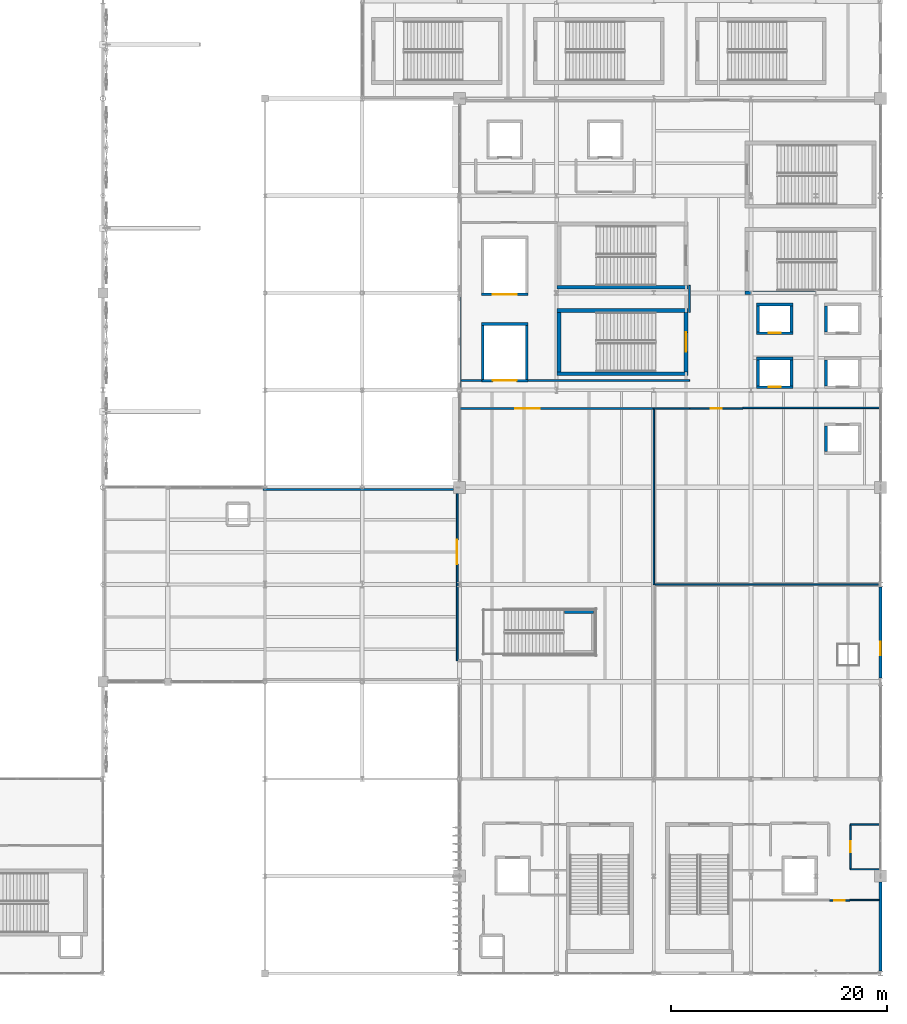
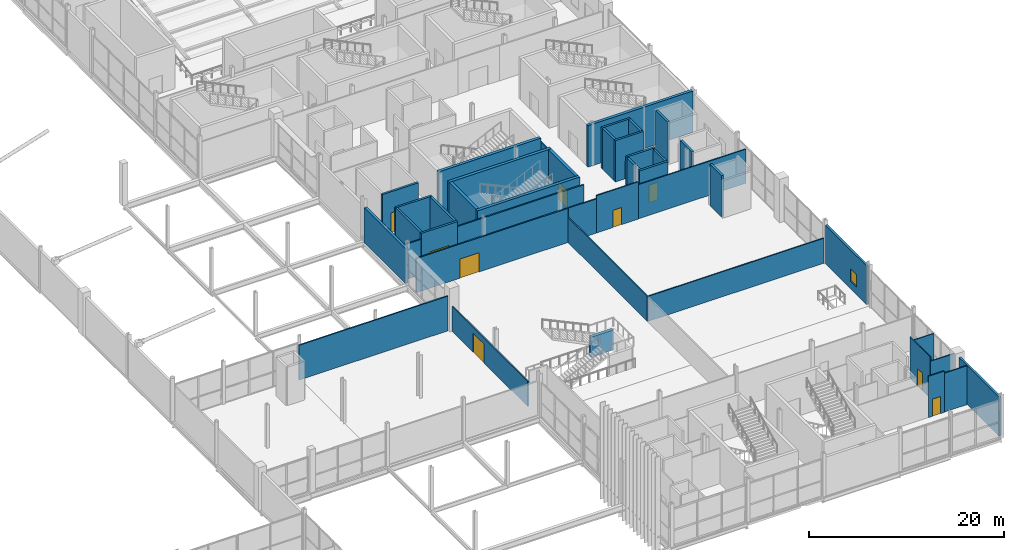
# One storey, part 93 of 119: 42 walls, 10 doors, 1 window, 11 openings.
"""IFC4 building model written with IfcOpenShell, lengths in metres."""

from ifc_helpers import new_model, si_unit, direction, frame, frame_2d, origin, place, context, subcontext, project, spatial, rectangle, extrude, material, layer, layer_set, type_object, element, fill, save


model = new_model("IFC4")

# Units and contexts
model_context = context("Model", 3, precision=1e-05, world=origin(), true_north=direction((0.0, 1.0)))
body_context = subcontext(model_context, "Body", "Model", "MODEL_VIEW")
ifc_project = project(units=[si_unit("LENGTHUNIT", "METRE"), si_unit("AREAUNIT", "SQUARE_METRE"), si_unit("VOLUMEUNIT", "CUBIC_METRE"), si_unit("PLANEANGLEUNIT", "RADIAN"), si_unit("MASSUNIT", "GRAM", prefix="KILO")], contexts=[model_context])

# Site, building, storey
site_placement = place(None, origin())
site = spatial("IfcSite", under=ifc_project, at=site_placement, CompositionType="ELEMENT")
building_placement = place(site_placement, origin())
building = spatial("IfcBuilding", under=site, at=building_placement, Name="Qamarlyn Nura Convention Centre", CompositionType="ELEMENT")
storey_placement = place(building_placement, frame((0.0, 0.0, 5.39990234375)))
storey = spatial("IfcBuildingStorey", under=building, at=storey_placement, Name="L01", CompositionType="ELEMENT", Elevation=5.39990234375)

# Walls
ifc_material_1 = material(Name="Concrete C50/60", Category="concrete")
ifc_layer_1 = layer(ifc_material_1, 0.35009765625, Name="WT-CORE-350")
ifc_layer_set_1 = layer_set([ifc_layer_1], Name="Concrete C50/60")
wall_type_1 = type_object("IfcWallType", Name="WT-CORE-350", PredefinedType="SHEAR", material=ifc_layer_set_1)
for number, where, z_axis, x_axis, name in (
    (1, (162.050048828125, 55.52490234375, 0.0), (0.0, 0.0, 1.0), (1.0, 0.0, 0.0), "L01 stair core shear wall ST-11-S"),
    (2, (174.14990234375, 61.375, 0.0), (0.0, 0.0, 1.0), (-1.0, 0.0, 0.0), "L01 stair core shear wall ST-11-N"),
):
    element("IfcWall", number, at=place(storey_placement, frame(where, z_axis=z_axis, x_axis=x_axis)), inside=storey, type_object=wall_type_1, Name=name, PredefinedType="SHEAR", context=body_context, shape_type="SweptSolid", body=[
        extrude(rectangle(XDim=12.099853515625, YDim=0.35009765625, at=frame_2d((6.0498046875, 0.0))), origin(), (0.0, 0.0, 1.0), 5.18017578125),
    ])
wall_1_placement = place(storey_placement, frame((162.22509765625, 61.199951171875, 0.0), z_axis=(0.0, 0.0, 1.0), x_axis=(0.0, -1.0, 0.0)))
element("IfcWall", 3, at=wall_1_placement, inside=storey, type_object=wall_type_1, Name="L01 stair core shear wall ST-11-W", PredefinedType="SHEAR", context=body_context, shape_type="SweptSolid", body=[
    extrude(rectangle(XDim=5.5, YDim=0.35009765625, at=frame_2d((2.75, 0.0))), origin(), (0.0, 0.0, 1.0), 5.18017578125),
])

# Wall, opening, door
wall_2_placement = place(storey_placement, frame((173.97509765625, 55.699951171875, 0.0), z_axis=(0.0, 0.0, 1.0), x_axis=(0.0, 1.0, 0.0)))
wall_2 = element("IfcWall", 4, at=wall_2_placement, inside=storey, type_object=wall_type_1, Name="L01 stair core shear wall ST-11-E", PredefinedType="SHEAR", context=body_context, shape_type="SweptSolid", body=[
    extrude(rectangle(XDim=5.5, YDim=0.35009765625, at=frame_2d((2.75, 0.0))), origin(), (0.0, 0.0, 1.0), 5.18017578125),
])
opening_1_placement = place(wall_2_placement, frame((1.85009765625, 0.0, 0.0)))
opening_1 = element("IfcOpeningElement", 5, at=opening_1_placement, cuts=wall_2, Name="Opening DS-045", PredefinedType="OPENING", context=body_context, shape_type="SweptSolid", body=[
    extrude(rectangle(XDim=1.800048828125, YDim=2.199951171875, at=frame_2d((0.89990234375, 1.10009765625))), frame((0.0, 0.18505859375, 0.0), z_axis=(0.0, -1.0, 0.0), x_axis=(1.0, 0.0, 0.0)), (0.0, 0.0, 1.0), 0.3701171875),
])
ifc_material_2 = material(Name="Galvanised fire-rated hollow steel door", Category="steel")
door_type_1 = type_object("IfcDoorType", Name="DR-STAIR-1800", OperationType="DOUBLE_DOOR_SINGLE_SWING", PredefinedType="DOOR", material=ifc_material_2)
door_1_placement = place(opening_1_placement, origin())
door_1 = element("IfcDoor", 6, at=door_1_placement, inside=storey, type_object=door_type_1, Name="L01 exit stair door ST-11 (DS-045)", OperationType="DOUBLE_DOOR_SINGLE_SWING", OverallHeight=2.199951171875, OverallWidth=1.800048828125, PredefinedType="DOOR", context=body_context, shape_type="SweptSolid", body=[
    extrude(rectangle(XDim=1.800048828125, YDim=2.199951171875, at=frame_2d((0.89990234375, 1.10009765625))), frame((0.0, 0.02490234375, 0.0), z_axis=(0.0, -1.0, 0.0), x_axis=(1.0, 0.0, 0.0)), (0.0, 0.0, 1.0), 0.050048828125),
])
fill(opening_1, door_1)

# Walls
wall_3_placement = place(storey_placement, frame((162.050048828125, 63.52490234375, 0.0), z_axis=(0.0, 0.0, 1.0), x_axis=(1.0, 0.0, 0.0)))
element("IfcWall", 7, at=wall_3_placement, inside=storey, type_object=wall_type_1, Name="L01 stair core shear wall ST-12-S", PredefinedType="SHEAR", context=body_context, shape_type="SweptSolid", body=[
    extrude(rectangle(XDim=12.099853515625, YDim=0.35009765625, at=frame_2d((6.0498046875, 0.0))), origin(), (0.0, 0.0, 1.0), 5.18017578125),
])
wall_4_placement = place(storey_placement, frame((179.449951171875, 63.02490234375, 0.0), z_axis=(0.0, 0.0, 1.0), x_axis=(1.0, 0.0, 0.0)))
element("IfcWall", 8, at=wall_4_placement, inside=storey, type_object=wall_type_1, Name="L01 stair core shear wall ST-13-S", PredefinedType="SHEAR", context=body_context, shape_type="SweptSolid", body=[
    extrude(rectangle(XDim=12.37255859375, YDim=0.35009765625, at=frame_2d((6.186279296875, 0.0))), origin(), (0.0, 0.0, 1.0), 5.18017578125),
])
wall_5_placement = place(storey_placement, frame((162.719970703125, 33.47998046875, 0.0), z_axis=(0.0, 0.0, 1.0), x_axis=(1.0, 0.0, 0.0)))
element("IfcWall", 9, at=wall_5_placement, inside=storey, type_object=wall_type_1, Name="L01 feature stair support fin wall ST-20-2", PredefinedType="SHEAR", context=body_context, shape_type="SweptSolid", body=[
    extrude(rectangle(XDim=2.699951171875, YDim=0.35009765625, at=frame_2d((1.35009765625, 0.0))), origin(), (0.0, 0.0, 1.0), 2.5),
])
ifc_material_3 = material(Name="Concrete C40/50", Category="concrete")
ifc_layer_2 = layer(ifc_material_3, 0.260009765625, Name="WT-EXT-260")
ifc_layer_set_2 = layer_set([ifc_layer_2], Name="Concrete C40/50")
wall_type_2 = type_object("IfcWallType", Name="WT-EXT-260", PredefinedType="SOLIDWALL", material=ifc_layer_set_2)
wall_6_placement = place(storey_placement, frame((192.0, 8.449951171875, 0.0), z_axis=(0.0, 0.0, 1.0), x_axis=(0.0, -1.0, 0.0)))
element("IfcWall", 10, at=wall_6_placement, inside=storey, type_object=wall_type_2, Name="L01 exterior facade wall WEXT-L01-1920-84-1920-2", PredefinedType="SOLIDWALL", context=body_context, shape_type="SweptSolid", body=[
    extrude(rectangle(XDim=8.237548828125, YDim=0.260009765625, at=frame_2d((4.11865234375, 0.0))), origin(), (0.0, 0.0, 1.0), 4.864990234375),
])

# Wall, opening, window
wall_7_placement = place(storey_placement, frame((192.0, 35.78759765625, 0.0), z_axis=(0.0, 0.0, 1.0), x_axis=(0.0, -1.0, 0.0)))
wall_7 = element("IfcWall", 11, at=wall_7_placement, inside=storey, type_object=wall_type_2, Name="L01 exterior facade wall WEXT-L01-1920-358-1920-273", PredefinedType="SOLIDWALL", context=body_context, shape_type="SweptSolid", body=[
    extrude(rectangle(XDim=8.440185546875, YDim=0.260009765625, at=frame_2d((4.22021484375, 0.0))), origin(), (0.0, 0.0, 1.0), 4.8251953125),
])
opening_2_placement = place(wall_7_placement, frame((5.10498046875, 0.0, 0.949951171875)))
opening_2 = element("IfcOpeningElement", 12, at=opening_2_placement, cuts=wall_7, Name="Opening WN23", PredefinedType="OPENING", context=body_context, shape_type="SweptSolid", body=[
    extrude(rectangle(XDim=1.25, YDim=1.550048828125, at=frame_2d((0.625, 0.77490234375))), frame((0.0, 0.14013671875, 0.0), z_axis=(0.0, -1.0, 0.0), x_axis=(1.0, 0.0, 0.0)), (0.0, 0.0, 1.0), 0.280029296875),
])
ifc_material_4 = material(Name="Double-silver low-E insulated glass", Category="glass")
window_type = type_object("IfcWindowType", Name="WIN-SOL-23", PartitioningType="SINGLE_PANEL", PredefinedType="WINDOW", material=ifc_material_4)
window_placement = place(opening_2_placement, origin())
window = element("IfcWindow", 13, at=window_placement, inside=storey, type_object=window_type, Name="L01 solar-control window 023", OverallHeight=1.550048828125, OverallWidth=1.25, PartitioningType="SINGLE_PANEL", PredefinedType="WINDOW", context=body_context, shape_type="SweptSolid", body=[
    extrude(rectangle(XDim=1.25, YDim=1.550048828125, at=frame_2d((0.625, 0.77490234375))), frame((0.0, 0.030029296875, 0.0), z_axis=(0.0, -1.0, 0.0), x_axis=(1.0, 0.0, 0.0)), (0.0, 0.0, 1.0), 0.06005859375),
])
fill(opening_2, window)

# Walls
ifc_material_5 = material(Name="Concrete C40/50 with UAE coastal limestone stone facing", Category="masonry")
ifc_layer_3 = layer(ifc_material_5, 0.300048828125, Name="WT-LIME-300")
ifc_layer_set_3 = layer_set([ifc_layer_3], Name="Concrete C40/50 with UAE coastal limestone stone facing")
wall_type_3 = type_object("IfcWallType", Name="WT-LIME-300", PredefinedType="SOLIDWALL", material=ifc_layer_set_3)
wall_8_placement = place(storey_placement, frame((153.0, 54.199951171875, 0.0), z_axis=(0.0, 0.0, 1.0), x_axis=(0.0, 1.0, 0.0)))
element("IfcWall", 14, at=wall_8_placement, inside=storey, type_object=wall_type_3, Name="L01 exterior facade wall WEXT-L01-1530-542-1530-627", PredefinedType="SOLIDWALL", context=body_context, shape_type="SweptSolid", body=[
    extrude(rectangle(XDim=8.45263671875, YDim=0.300048828125, at=frame_2d((4.226318359375, 0.0))), origin(), (0.0, 0.0, 1.0), 4.39208984375),
])
ifc_material_6 = material(Name="Acoustic double-stud gypsum partition")
ifc_layer_4 = layer(ifc_material_6, 0.1201171875, Name="WT-PART-120")
ifc_layer_set_4 = layer_set([ifc_layer_4], Name="Acoustic double-stud gypsum partition")
wall_type_4 = type_object("IfcWallType", Name="WT-PART-120", PredefinedType="PARTITIONING", material=ifc_layer_set_4)
for number, where, z_axis, x_axis, name in (
    (15, (189.199951171875, 13.77490234375, 0.0), (0.0, 0.0, 1.0), (1.0, 0.0, 0.0), "L01 interior partition L01-WC-A-L01-1-1"),
    (16, (191.988037109375, 9.64990234375, 0.0), (0.0, 0.0, 1.0), (-1.0, 0.0, 0.0), "L01 interior partition L01-WC-A-L01-3-1"),
):
    element("IfcWall", number, at=place(storey_placement, frame(where, z_axis=z_axis, x_axis=x_axis)), inside=storey, type_object=wall_type_4, Name=name, PredefinedType="PARTITIONING", context=body_context, shape_type="SweptSolid", body=[
        extrude(rectangle(XDim=2.7880859375, YDim=0.1201171875, at=frame_2d((1.39404296875, 0.0))), origin(), (0.0, 0.0, 1.0), 4.6259765625),
    ])

# Wall, opening, door
wall_9_placement = place(storey_placement, frame((189.199951171875, 9.64990234375, 0.0), z_axis=(0.0, 0.0, 1.0), x_axis=(0.0, 1.0, 0.0)))
wall_9 = element("IfcWall", 17, at=wall_9_placement, inside=storey, type_object=wall_type_4, Name="L01 interior partition L01-WC-A-L01-4-1", PredefinedType="PARTITIONING", context=body_context, shape_type="SweptSolid", body=[
    extrude(rectangle(XDim=4.125, YDim=0.1201171875, at=frame_2d((2.0625, 0.0))), origin(), (0.0, 0.0, 1.0), 5.16015625),
])
opening_3_placement = place(wall_9_placement, frame((1.552490234375, 0.0, 0.0)))
opening_3 = element("IfcOpeningElement", 18, at=opening_3_placement, cuts=wall_9, Name="Opening D-L01-158", PredefinedType="OPENING", context=body_context, shape_type="SweptSolid", body=[
    extrude(rectangle(XDim=1.02001953125, YDim=2.159912109375, at=frame_2d((0.510009765625, 1.080078125))), frame((0.0, 0.070068359375, 0.0), z_axis=(0.0, -1.0, 0.0), x_axis=(1.0, 0.0, 0.0)), (0.0, 0.0, 1.0), 0.14013671875),
])
ifc_material_7 = material(Name="Acoustic walnut timber leaf", Category="wood")
door_type_2 = type_object("IfcDoorType", Name="DR-WC-ACC-102", OperationType="NOTDEFINED", PredefinedType="DOOR", material=ifc_material_7)
door_2_placement = place(opening_3_placement, origin())
door_2 = element("IfcDoor", 19, at=door_2_placement, inside=storey, type_object=door_type_2, Name="L01 Accessible WC L01 door D-L01-158", OperationType="SINGLE_SWING_LEFT", OverallHeight=2.159912109375, OverallWidth=1.02001953125, PredefinedType="DOOR", context=body_context, shape_type="SweptSolid", body=[
    extrude(rectangle(XDim=1.02001953125, YDim=2.159912109375, at=frame_2d((0.510009765625, 1.080078125))), frame((0.0, 0.02490234375, 0.0), z_axis=(0.0, -1.0, 0.0), x_axis=(1.0, 0.0, 0.0)), (0.0, 0.0, 1.0), 0.050048828125),
])
fill(opening_3, door_2)

wall_10_placement = place(storey_placement, frame((187.27001953125, 6.760009765625, 0.0), z_axis=(0.0, 0.0, 1.0), x_axis=(1.0, 0.0, 0.0)))
wall_10 = element("IfcWall", 20, at=wall_10_placement, inside=storey, type_object=wall_type_4, Name="L01 interior partition L01-BUS-CENT-22-1", PredefinedType="PARTITIONING", context=body_context, shape_type="SweptSolid", body=[
    extrude(rectangle(XDim=1.8798828125, YDim=0.1201171875, at=frame_2d((0.93994140625, 0.0))), origin(), (0.0, 0.0, 1.0), 5.16015625),
])
opening_4_placement = place(wall_10_placement, frame((0.4599609375, 0.0, 0.0)))
opening_4 = element("IfcOpeningElement", 21, at=opening_4_placement, cuts=wall_10, Name="Opening D-L01-160", PredefinedType="OPENING", context=body_context, shape_type="SweptSolid", body=[
    extrude(rectangle(XDim=0.9599609375, YDim=2.14990234375, at=frame_2d((0.47998046875, 1.074951171875))), frame((0.0, 0.070068359375, 0.0), z_axis=(0.0, -1.0, 0.0), x_axis=(1.0, 0.0, 0.0)), (0.0, 0.0, 1.0), 0.14013671875),
])
door_type_3 = type_object("IfcDoorType", Name="DR-ROOM-0960", OperationType="NOTDEFINED", PredefinedType="DOOR", material=ifc_material_7)
door_3_placement = place(opening_4_placement, origin())
door_3 = element("IfcDoor", 22, at=door_3_placement, inside=storey, type_object=door_type_3, Name="L01 Business Centre door D-L01-160", OperationType="SINGLE_SWING_LEFT", OverallHeight=2.14990234375, OverallWidth=0.9599609375, PredefinedType="DOOR", context=body_context, shape_type="SweptSolid", body=[
    extrude(rectangle(XDim=0.9599609375, YDim=2.14990234375, at=frame_2d((0.47998046875, 1.074951171875))), frame((0.0, 0.02490234375, 0.0), z_axis=(0.0, -1.0, 0.0), x_axis=(1.0, 0.0, 0.0)), (0.0, 0.0, 1.0), 0.050048828125),
])
fill(opening_4, door_3)

# Walls
wall_11_placement = place(storey_placement, frame((189.14990234375, 6.800048828125, 0.0), z_axis=(0.0, 0.0, 1.0), x_axis=(1.0, 0.0, 0.0)))
element("IfcWall", 23, at=wall_11_placement, inside=storey, type_object=wall_type_4, Name="L01 interior partition L01-BUS-CENT-39-1", PredefinedType="PARTITIONING", context=body_context, shape_type="SweptSolid", body=[
    extrude(rectangle(XDim=2.72021484375, YDim=0.1201171875, at=frame_2d((1.360107421875, 0.0))), origin(), (0.0, 0.0, 1.0), 4.864990234375),
])
ifc_layer_5 = layer(ifc_material_6, 0.135009765625, Name="WT-PART-135")
ifc_layer_set_5 = layer_set([ifc_layer_5], Name="Acoustic double-stud gypsum partition")
wall_type_5 = type_object("IfcWallType", Name="WT-PART-135", PredefinedType="PARTITIONING", material=ifc_layer_set_5)
wall_12_placement = place(storey_placement, frame((171.0, 52.31005859375, 0.0), z_axis=(0.0, 0.0, 1.0), x_axis=(1.0, 0.0, 0.0)))
element("IfcWall", 24, at=wall_12_placement, inside=storey, type_object=wall_type_5, Name="L01 interior partition L01-BRK-E105-1-1", PredefinedType="PARTITIONING", context=body_context, shape_type="SweptSolid", body=[
    extrude(rectangle(XDim=3.31005859375, YDim=0.135009765625, at=frame_2d((1.655029296875, 0.0))), origin(), (0.0, 0.0, 1.0), 4.27001953125),
])

# Wall, opening, door
wall_13_placement = place(storey_placement, frame((174.31005859375, 52.31005859375, 0.0), z_axis=(0.0, 0.0, 1.0), x_axis=(1.0, 0.0, 0.0)))
wall_13 = element("IfcWall", 25, at=wall_13_placement, inside=storey, type_object=wall_type_5, Name="L01 interior partition L01-BRK-E105-14-1", PredefinedType="PARTITIONING", context=body_context, shape_type="SweptSolid", body=[
    extrude(rectangle(XDim=4.93994140625, YDim=0.135009765625, at=frame_2d((2.469970703125, 0.0))), origin(), (0.0, 0.0, 1.0), 4.668212890625),
])
opening_5_placement = place(wall_13_placement, frame((1.97998046875, 0.0, 0.0)))
opening_5 = element("IfcOpeningElement", 26, at=opening_5_placement, cuts=wall_13, Name="Opening D-L01-165", PredefinedType="OPENING", context=body_context, shape_type="SweptSolid", body=[
    extrude(rectangle(XDim=0.97998046875, YDim=2.14990234375, at=frame_2d((0.489990234375, 1.074951171875))), frame((0.0, 0.07763671875, 0.0), z_axis=(0.0, -1.0, 0.0), x_axis=(1.0, 0.0, 0.0)), (0.0, 0.0, 1.0), 0.155029296875),
])
door_type_4 = type_object("IfcDoorType", Name="DR-ROOM-0980", OperationType="NOTDEFINED", PredefinedType="DOOR", material=ifc_material_7)
door_4_placement = place(opening_5_placement, origin())
door_4 = element("IfcDoor", 27, at=door_4_placement, inside=storey, type_object=door_type_4, Name="L01 East Breakout Meeting Suite 105 door D-L01-165", OperationType="SINGLE_SWING_LEFT", OverallHeight=2.14990234375, OverallWidth=0.97998046875, PredefinedType="DOOR", context=body_context, shape_type="SweptSolid", body=[
    extrude(rectangle(XDim=0.97998046875, YDim=2.14990234375, at=frame_2d((0.489990234375, 1.074951171875))), frame((0.0, 0.02490234375, 0.0), z_axis=(0.0, -1.0, 0.0), x_axis=(1.0, 0.0, 0.0)), (0.0, 0.0, 1.0), 0.050048828125),
])
fill(opening_5, door_4)

# Walls
wall_14_placement = place(storey_placement, frame((179.25, 52.35009765625, 0.0), z_axis=(0.0, 0.0, 1.0), x_axis=(1.0, 0.0, 0.0)))
element("IfcWall", 28, at=wall_14_placement, inside=storey, type_object=wall_type_5, Name="L01 interior partition L01-BRK-E105-31-1", PredefinedType="PARTITIONING", context=body_context, shape_type="SweptSolid", body=[
    extrude(rectangle(XDim=12.738037109375, YDim=0.135009765625, at=frame_2d((6.369140625, 0.0))), origin(), (0.0, 0.0, 1.0), 4.27001953125),
])
wall_15_placement = place(storey_placement, frame((191.7900390625, 36.0, 0.0), z_axis=(0.0, 0.0, 1.0), x_axis=(-1.0, 0.0, 0.0)))
element("IfcWall", 29, at=wall_15_placement, inside=storey, type_object=wall_type_5, Name="L01 interior partition L01-BRK-E105-33-1", PredefinedType="PARTITIONING", context=body_context, shape_type="SweptSolid", body=[
    extrude(rectangle(XDim=20.7900390625, YDim=0.135009765625, at=frame_2d((10.39501953125, 0.0))), origin(), (0.0, 0.0, 1.0), 3.125),
])
wall_16_placement = place(storey_placement, frame((171.0, 36.0, 0.0), z_axis=(0.0, 0.0, 1.0), x_axis=(0.0, 1.0, 0.0)))
element("IfcWall", 30, at=wall_16_placement, inside=storey, type_object=wall_type_5, Name="L01 interior partition L01-BRK-E105-34-1", PredefinedType="PARTITIONING", context=body_context, shape_type="SweptSolid", body=[
    extrude(rectangle(XDim=16.31005859375, YDim=0.135009765625, at=frame_2d((8.155029296875, 0.0))), origin(), (0.0, 0.0, 1.0), 3.125),
])
ifc_material_8 = material(Name="Fire-rated acoustic gypsum board EI 60")
ifc_layer_6 = layer(ifc_material_8, 0.159912109375, Name="WT-PART-160")
ifc_layer_set_6 = layer_set([ifc_layer_6], Name="Fire-rated acoustic gypsum board EI 60")
wall_type_6 = type_object("IfcWallType", Name="WT-PART-160", PredefinedType="PARTITIONING", material=ifc_layer_set_6)
wall_17_placement = place(storey_placement, frame((174.31005859375, 63.699951171875, 0.0), z_axis=(0.0, 0.0, 1.0), x_axis=(0.0, -1.0, 0.0)))
element("IfcWall", 31, at=wall_17_placement, inside=storey, type_object=wall_type_6, Name="L01 interior partition L01-PAN-FIN1-60-2", PredefinedType="PARTITIONING", context=body_context, shape_type="SweptSolid", body=[
    extrude(rectangle(XDim=2.5, YDim=0.159912109375, at=frame_2d((1.25, 0.0))), origin(), (0.0, 0.0, 1.0), 4.55419921875),
])
wall_18_placement = place(storey_placement, frame((174.31005859375, 54.889892578125, 0.0), z_axis=(0.0, 0.0, 1.0), x_axis=(-1.0, 0.0, 0.0)))
element("IfcWall", 32, at=wall_18_placement, inside=storey, type_object=wall_type_6, Name="L01 interior partition L01-PAN-FIN1-61-1", PredefinedType="PARTITIONING", context=body_context, shape_type="SweptSolid", body=[
    extrude(rectangle(XDim=14.9599609375, YDim=0.159912109375, at=frame_2d((7.47998046875, 0.0))), origin(), (0.0, 0.0, 1.0), 4.481201171875),
])
wall_19_placement = place(storey_placement, frame((155.050048828125, 54.889892578125, 0.0), z_axis=(0.0, 0.0, 1.0), x_axis=(-1.0, 0.0, 0.0)))
element("IfcWall", 33, at=wall_19_placement, inside=storey, type_object=wall_type_6, Name="L01 interior partition L01-PAN-FIN1-107-1", PredefinedType="PARTITIONING", context=body_context, shape_type="SweptSolid", body=[
    extrude(rectangle(XDim=1.900146484375, YDim=0.159912109375, at=frame_2d((0.9501953125, 0.0))), origin(), (0.0, 0.0, 1.0), 4.39208984375),
])
wall_20_placement = place(storey_placement, frame((134.822265625, 44.800048828125, 0.0), z_axis=(0.0, 0.0, 1.0), x_axis=(1.0, 0.0, 0.0)))
element("IfcWall", 34, at=wall_20_placement, inside=storey, type_object=wall_type_6, Name="L01 interior partition L01-BRG-CON1-1-3", PredefinedType="PARTITIONING", context=body_context, shape_type="SweptSolid", body=[
    extrude(rectangle(XDim=17.61767578125, YDim=0.159912109375, at=frame_2d((8.808837890625, 0.0))), origin(), (0.0, 0.0, 1.0), 4.35205078125),
])

# Wall, opening, door
wall_21_placement = place(storey_placement, frame((152.800048828125, 44.43994140625, 0.0), z_axis=(0.0, 0.0, 1.0), x_axis=(0.0, -1.0, 0.0)))
wall_21 = element("IfcWall", 35, at=wall_21_placement, inside=storey, type_object=wall_type_6, Name="L01 interior partition L01-BRG-CON1-2-1", PredefinedType="PARTITIONING", context=body_context, shape_type="SweptSolid", body=[
    extrude(rectangle(XDim=15.5, YDim=0.159912109375, at=frame_2d((7.75, 0.0))), origin(), (0.0, 0.0, 1.0), 3.125),
])
opening_6_placement = place(wall_21_placement, frame((4.300048828125, 0.0, 0.0)))
opening_6 = element("IfcOpeningElement", 36, at=opening_6_placement, cuts=wall_21, Name="Opening D-L01-169", PredefinedType="OPENING", context=body_context, shape_type="SweptSolid", body=[
    extrude(rectangle(XDim=2.25, YDim=2.39990234375, at=frame_2d((1.125, 1.199951171875))), frame((0.0, 0.08984375, 0.0), z_axis=(0.0, -1.0, 0.0), x_axis=(1.0, 0.0, 0.0)), (0.0, 0.0, 1.0), 0.179931640625),
])
door_type_5 = type_object("IfcDoorType", Name="DR-HALL-2250", OperationType="DOUBLE_DOOR_SINGLE_SWING", PredefinedType="DOOR", material=ifc_material_7)
door_5_placement = place(opening_6_placement, origin())
door_5 = element("IfcDoor", 37, at=door_5_placement, inside=storey, type_object=door_type_5, Name="L01 Bridge Pre-function Foyer door D-L01-169", OperationType="DOUBLE_DOOR_SINGLE_SWING", OverallHeight=2.39990234375, OverallWidth=2.25, PredefinedType="DOOR", context=body_context, shape_type="SweptSolid", body=[
    extrude(rectangle(XDim=2.25, YDim=2.39990234375, at=frame_2d((1.125, 1.199951171875))), frame((0.0, 0.02490234375, 0.0), z_axis=(0.0, -1.0, 0.0), x_axis=(1.0, 0.0, 0.0)), (0.0, 0.0, 1.0), 0.050048828125),
])
fill(opening_6, door_5)

wall_22_placement = place(storey_placement, frame((153.011962890625, 52.31005859375, 0.0), z_axis=(0.0, 0.0, 1.0), x_axis=(1.0, 0.0, 0.0)))
wall_22 = element("IfcWall", 38, at=wall_22_placement, inside=storey, type_object=wall_type_6, Name="L01 interior partition L01-FOY-L01-1-1", PredefinedType="PARTITIONING", context=body_context, shape_type="SweptSolid", body=[
    extrude(rectangle(XDim=17.947998046875, YDim=0.159912109375, at=frame_2d((8.97412109375, 0.0))), origin(), (0.0, 0.0, 1.0), 4.27001953125),
])
opening_7_placement = place(wall_22_placement, frame((5.15673828125, 0.0, 0.0)))
opening_7 = element("IfcOpeningElement", 39, at=opening_7_placement, cuts=wall_22, Name="Opening D-L01-170", PredefinedType="OPENING", context=body_context, shape_type="SweptSolid", body=[
    extrude(rectangle(XDim=2.25, YDim=2.39990234375, at=frame_2d((1.125, 1.199951171875))), frame((0.0, 0.08984375, 0.0), z_axis=(0.0, -1.0, 0.0), x_axis=(1.0, 0.0, 0.0)), (0.0, 0.0, 1.0), 0.179931640625),
])
door_6_placement = place(opening_7_placement, origin())
door_6 = element("IfcDoor", 40, at=door_6_placement, inside=storey, type_object=door_type_5, Name="L01 Concourse Pre-function Foyer door D-L01-170", OperationType="DOUBLE_DOOR_SINGLE_SWING", OverallHeight=2.39990234375, OverallWidth=2.25, PredefinedType="DOOR", context=body_context, shape_type="SweptSolid", body=[
    extrude(rectangle(XDim=2.25, YDim=2.39990234375, at=frame_2d((1.125, 1.199951171875))), frame((0.0, 0.02490234375, 0.0), z_axis=(0.0, -1.0, 0.0), x_axis=(1.0, 0.0, 0.0)), (0.0, 0.0, 1.0), 0.050048828125),
])
fill(opening_7, door_6)

ifc_material_9 = material(Name="Fire-rated acoustic gypsum board and mineral wool EI 120")
ifc_layer_7 = layer(ifc_material_9, 0.25, Name="WT-SHAFT-250")
ifc_layer_set_7 = layer_set([ifc_layer_7], Name="Fire-rated acoustic gypsum board and mineral wool EI 120")
wall_type_7 = type_object("IfcWallType", Name="WT-SHAFT-250", PredefinedType="SOLIDWALL", material=ifc_layer_set_7)
wall_23_placement = place(storey_placement, frame((180.52490234375, 59.27490234375, 0.0), z_axis=(0.0, 0.0, 1.0), x_axis=(1.0, 0.0, 0.0)))
wall_23 = element("IfcWall", 41, at=wall_23_placement, inside=storey, type_object=wall_type_7, Name="L01 lift shaft enclosure wall PL-01 -y", PredefinedType="SOLIDWALL", context=body_context, shape_type="SweptSolid", body=[
    extrude(rectangle(XDim=3.35009765625, YDim=0.25, at=frame_2d((1.675048828125, 0.0))), origin(), (0.0, 0.0, 1.0), 5.16015625),
])
opening_8_placement = place(wall_23_placement, frame((1.125, 0.0, 0.0)))
opening_8 = element("IfcOpeningElement", 42, at=opening_8_placement, cuts=wall_23, Name="Opening LD-PL-01-L01", PredefinedType="OPENING", context=body_context, shape_type="SweptSolid", body=[
    extrude(rectangle(XDim=1.10009765625, YDim=2.199951171875, at=frame_2d((0.550048828125, 1.10009765625))), frame((0.0, 0.135009765625, 0.0), z_axis=(0.0, -1.0, 0.0), x_axis=(1.0, 0.0, 0.0)), (0.0, 0.0, 1.0), 0.27001953125),
])
ifc_material_10 = material(Name="Marine Grade 316 stainless steel", Category="steel")
door_type_6 = type_object("IfcDoorType", Name="DR-LD-PAX", OperationType="DOUBLE_DOOR_SLIDING", PredefinedType="DOOR", material=ifc_material_10)
door_7_placement = place(opening_8_placement, origin())
door_7 = element("IfcDoor", 43, at=door_7_placement, inside=storey, type_object=door_type_6, Name="Lift landing door LD-PL-01-L01", OperationType="DOUBLE_DOOR_SLIDING", OverallHeight=2.199951171875, OverallWidth=1.10009765625, PredefinedType="DOOR", context=body_context, shape_type="SweptSolid", body=[
    extrude(rectangle(XDim=1.10009765625, YDim=2.199951171875, at=frame_2d((0.550048828125, 1.10009765625))), frame((0.0, 0.02490234375, 0.0), z_axis=(0.0, -1.0, 0.0), x_axis=(1.0, 0.0, 0.0)), (0.0, 0.0, 1.0), 0.050048828125),
])
fill(opening_8, door_7)

# Walls
wall_24_placement = place(storey_placement, frame((183.875, 61.925048828125, 0.0), z_axis=(0.0, 0.0, 1.0), x_axis=(-1.0, 0.0, 0.0)))
element("IfcWall", 44, at=wall_24_placement, inside=storey, type_object=wall_type_7, Name="L01 lift shaft enclosure wall PL-01 +y", PredefinedType="SOLIDWALL", context=body_context, shape_type="SweptSolid", body=[
    extrude(rectangle(XDim=3.35009765625, YDim=0.25, at=frame_2d((1.675048828125, 0.0))), origin(), (0.0, 0.0, 1.0), 5.16015625),
])
for number, where, z_axis, x_axis, name in (
    (45, (180.64990234375, 61.800048828125, 0.0), (0.0, 0.0, 1.0), (0.0, -1.0, 0.0), "L01 lift shaft enclosure wall PL-01 -x"),
    (46, (183.75, 59.39990234375, 0.0), (0.0, 0.0, 1.0), (0.0, 1.0, 0.0), "L01 lift shaft enclosure wall PL-01 +x"),
    (47, (186.949951171875, 61.800048828125, 0.0), (0.0, 0.0, 1.0), (0.0, -1.0, 0.0), "L01 lift shaft enclosure wall PL-02 -x"),
):
    element("IfcWall", number, at=place(storey_placement, frame(where, z_axis=z_axis, x_axis=x_axis)), inside=storey, type_object=wall_type_7, Name=name, PredefinedType="SOLIDWALL", context=body_context, shape_type="SweptSolid", body=[
        extrude(rectangle(XDim=2.400146484375, YDim=0.25, at=frame_2d((1.2001953125, 0.0))), origin(), (0.0, 0.0, 1.0), 5.16015625),
    ])

# Wall, opening, door
wall_25_placement = place(storey_placement, frame((180.52490234375, 54.27490234375, 0.0), z_axis=(0.0, 0.0, 1.0), x_axis=(1.0, 0.0, 0.0)))
wall_25 = element("IfcWall", 48, at=wall_25_placement, inside=storey, type_object=wall_type_7, Name="L01 lift shaft enclosure wall PL-03 -y", PredefinedType="SOLIDWALL", context=body_context, shape_type="SweptSolid", body=[
    extrude(rectangle(XDim=3.35009765625, YDim=0.25, at=frame_2d((1.675048828125, 0.0))), origin(), (0.0, 0.0, 1.0), 4.43017578125),
])
opening_9_placement = place(wall_25_placement, frame((1.125, 0.0, 0.0)))
opening_9 = element("IfcOpeningElement", 49, at=opening_9_placement, cuts=wall_25, Name="Opening LD-PL-03-L01", PredefinedType="OPENING", context=body_context, shape_type="SweptSolid", body=[
    extrude(rectangle(XDim=1.10009765625, YDim=2.199951171875, at=frame_2d((0.550048828125, 1.10009765625))), frame((0.0, 0.135009765625, 0.0), z_axis=(0.0, -1.0, 0.0), x_axis=(1.0, 0.0, 0.0)), (0.0, 0.0, 1.0), 0.27001953125),
])
door_8_placement = place(opening_9_placement, origin())
door_8 = element("IfcDoor", 50, at=door_8_placement, inside=storey, type_object=door_type_6, Name="Lift landing door LD-PL-03-L01", OperationType="DOUBLE_DOOR_SLIDING", OverallHeight=2.199951171875, OverallWidth=1.10009765625, PredefinedType="DOOR", context=body_context, shape_type="SweptSolid", body=[
    extrude(rectangle(XDim=1.10009765625, YDim=2.199951171875, at=frame_2d((0.550048828125, 1.10009765625))), frame((0.0, 0.02490234375, 0.0), z_axis=(0.0, -1.0, 0.0), x_axis=(1.0, 0.0, 0.0)), (0.0, 0.0, 1.0), 0.050048828125),
])
fill(opening_9, door_8)

# Walls
wall_26_placement = place(storey_placement, frame((183.875, 56.925048828125, 0.0), z_axis=(0.0, 0.0, 1.0), x_axis=(-1.0, 0.0, 0.0)))
element("IfcWall", 51, at=wall_26_placement, inside=storey, type_object=wall_type_7, Name="L01 lift shaft enclosure wall PL-03 +y", PredefinedType="SOLIDWALL", context=body_context, shape_type="SweptSolid", body=[
    extrude(rectangle(XDim=3.35009765625, YDim=0.25, at=frame_2d((1.675048828125, 0.0))), origin(), (0.0, 0.0, 1.0), 4.55712890625),
])
for number, where, z_axis, x_axis, name in (
    (52, (180.64990234375, 56.800048828125, 0.0), (0.0, 0.0, 1.0), (0.0, -1.0, 0.0), "L01 lift shaft enclosure wall PL-03 -x"),
    (53, (183.75, 54.39990234375, 0.0), (0.0, 0.0, 1.0), (0.0, 1.0, 0.0), "L01 lift shaft enclosure wall PL-03 +x"),
):
    element("IfcWall", number, at=place(storey_placement, frame(where, z_axis=z_axis, x_axis=x_axis)), inside=storey, type_object=wall_type_7, Name=name, PredefinedType="SOLIDWALL", context=body_context, shape_type="SweptSolid", body=[
        extrude(rectangle(XDim=2.400146484375, YDim=0.25, at=frame_2d((1.2001953125, 0.0))), origin(), (0.0, 0.0, 1.0), 4.43017578125),
    ])
wall_27_placement = place(storey_placement, frame((186.949951171875, 56.800048828125, 0.0), z_axis=(0.0, 0.0, 1.0), x_axis=(0.0, -1.0, 0.0)))
element("IfcWall", 54, at=wall_27_placement, inside=storey, type_object=wall_type_7, Name="L01 lift shaft enclosure wall PL-04 -x", PredefinedType="SOLIDWALL", context=body_context, shape_type="SweptSolid", body=[
    extrude(rectangle(XDim=2.400146484375, YDim=0.25, at=frame_2d((1.2001953125, 0.0))), origin(), (0.0, 0.0, 1.0), 4.441162109375),
])
wall_28_placement = place(storey_placement, frame((186.949951171875, 50.699951171875, 0.0), z_axis=(0.0, 0.0, 1.0), x_axis=(0.0, -1.0, 0.0)))
element("IfcWall", 55, at=wall_28_placement, inside=storey, type_object=wall_type_7, Name="L01 lift shaft enclosure wall PL-05 -x", PredefinedType="SOLIDWALL", context=body_context, shape_type="SweptSolid", body=[
    extrude(rectangle(XDim=2.39990234375, YDim=0.25, at=frame_2d((1.199951171875, 0.0))), origin(), (0.0, 0.0, 1.0), 5.16015625),
])

# Wall, opening, door
wall_29_placement = place(storey_placement, frame((155.050048828125, 54.875, 0.0), z_axis=(0.0, 0.0, 1.0), x_axis=(1.0, 0.0, 0.0)))
wall_29 = element("IfcWall", 56, at=wall_29_placement, inside=storey, type_object=wall_type_7, Name="L01 lift shaft enclosure wall FL-03 -y", PredefinedType="SOLIDWALL", context=body_context, shape_type="SweptSolid", body=[
    extrude(rectangle(XDim=4.300048828125, YDim=0.25, at=frame_2d((2.14990234375, 0.0))), origin(), (0.0, 0.0, 1.0), 5.16015625),
])
opening_10_placement = place(wall_29_placement, frame((1.050048828125, 0.0, 0.0)))
opening_10 = element("IfcOpeningElement", 57, at=opening_10_placement, cuts=wall_29, Name="Opening LD-FL-03-L01", PredefinedType="OPENING", context=body_context, shape_type="SweptSolid", body=[
    extrude(rectangle(XDim=2.199951171875, YDim=2.5, at=frame_2d((1.10009765625, 1.25))), frame((0.0, 0.135009765625, 0.0), z_axis=(0.0, -1.0, 0.0), x_axis=(1.0, 0.0, 0.0)), (0.0, 0.0, 1.0), 0.27001953125),
])
door_type_7 = type_object("IfcDoorType", Name="DR-LD-FRT", OperationType="DOUBLE_DOOR_SLIDING", PredefinedType="DOOR", material=ifc_material_2)
door_9_placement = place(opening_10_placement, origin())
door_9 = element("IfcDoor", 58, at=door_9_placement, inside=storey, type_object=door_type_7, Name="Lift landing door LD-FL-03-L01", OperationType="DOUBLE_DOOR_SLIDING", OverallHeight=2.5, OverallWidth=2.199951171875, PredefinedType="DOOR", context=body_context, shape_type="SweptSolid", body=[
    extrude(rectangle(XDim=2.199951171875, YDim=2.5, at=frame_2d((1.10009765625, 1.25))), frame((0.0, 0.02490234375, 0.0), z_axis=(0.0, -1.0, 0.0), x_axis=(1.0, 0.0, 0.0)), (0.0, 0.0, 1.0), 0.050048828125),
])
fill(opening_10, door_9)

# Walls
wall_30_placement = place(storey_placement, frame((159.35009765625, 60.125, 0.0), z_axis=(0.0, 0.0, 1.0), x_axis=(-1.0, 0.0, 0.0)))
element("IfcWall", 59, at=wall_30_placement, inside=storey, type_object=wall_type_7, Name="L01 lift shaft enclosure wall FL-03 +y", PredefinedType="SOLIDWALL", context=body_context, shape_type="SweptSolid", body=[
    extrude(rectangle(XDim=4.300048828125, YDim=0.25, at=frame_2d((2.14990234375, 0.0))), origin(), (0.0, 0.0, 1.0), 5.16015625),
])
for number, where, z_axis, x_axis, name in (
    (60, (155.175048828125, 60.0, 0.0), (0.0, 0.0, 1.0), (0.0, -1.0, 0.0), "L01 lift shaft enclosure wall FL-03 -x"),
    (61, (159.22509765625, 55.0, 0.0), (0.0, 0.0, 1.0), (0.0, 1.0, 0.0), "L01 lift shaft enclosure wall FL-03 +x"),
):
    element("IfcWall", number, at=place(storey_placement, frame(where, z_axis=z_axis, x_axis=x_axis)), inside=storey, type_object=wall_type_7, Name=name, PredefinedType="SOLIDWALL", context=body_context, shape_type="SweptSolid", body=[
        extrude(rectangle(XDim=5.0, YDim=0.25, at=frame_2d((2.5, 0.0))), origin(), (0.0, 0.0, 1.0), 5.16015625),
    ])

# Wall, opening, door
wall_31_placement = place(storey_placement, frame((155.050048828125, 62.875, 0.0), z_axis=(0.0, 0.0, 1.0), x_axis=(1.0, 0.0, 0.0)))
wall_31 = element("IfcWall", 62, at=wall_31_placement, inside=storey, type_object=wall_type_7, Name="L01 lift shaft enclosure wall FL-04 -y", PredefinedType="SOLIDWALL", context=body_context, shape_type="SweptSolid", body=[
    extrude(rectangle(XDim=4.300048828125, YDim=0.25, at=frame_2d((2.14990234375, 0.0))), origin(), (0.0, 0.0, 1.0), 5.16015625),
])
opening_11_placement = place(wall_31_placement, frame((1.050048828125, 0.0, 0.0)))
opening_11 = element("IfcOpeningElement", 63, at=opening_11_placement, cuts=wall_31, Name="Opening LD-FL-04-L01", PredefinedType="OPENING", context=body_context, shape_type="SweptSolid", body=[
    extrude(rectangle(XDim=2.199951171875, YDim=2.5, at=frame_2d((1.10009765625, 1.25))), frame((0.0, 0.135009765625, 0.0), z_axis=(0.0, -1.0, 0.0), x_axis=(1.0, 0.0, 0.0)), (0.0, 0.0, 1.0), 0.27001953125),
])
door_10_placement = place(opening_11_placement, origin())
door_10 = element("IfcDoor", 64, at=door_10_placement, inside=storey, type_object=door_type_7, Name="Lift landing door LD-FL-04-L01", OperationType="DOUBLE_DOOR_SLIDING", OverallHeight=2.5, OverallWidth=2.199951171875, PredefinedType="DOOR", context=body_context, shape_type="SweptSolid", body=[
    extrude(rectangle(XDim=2.199951171875, YDim=2.5, at=frame_2d((1.10009765625, 1.25))), frame((0.0, 0.02490234375, 0.0), z_axis=(0.0, -1.0, 0.0), x_axis=(1.0, 0.0, 0.0)), (0.0, 0.0, 1.0), 0.050048828125),
])
fill(opening_11, door_10)

save(model, "model.ifc")
